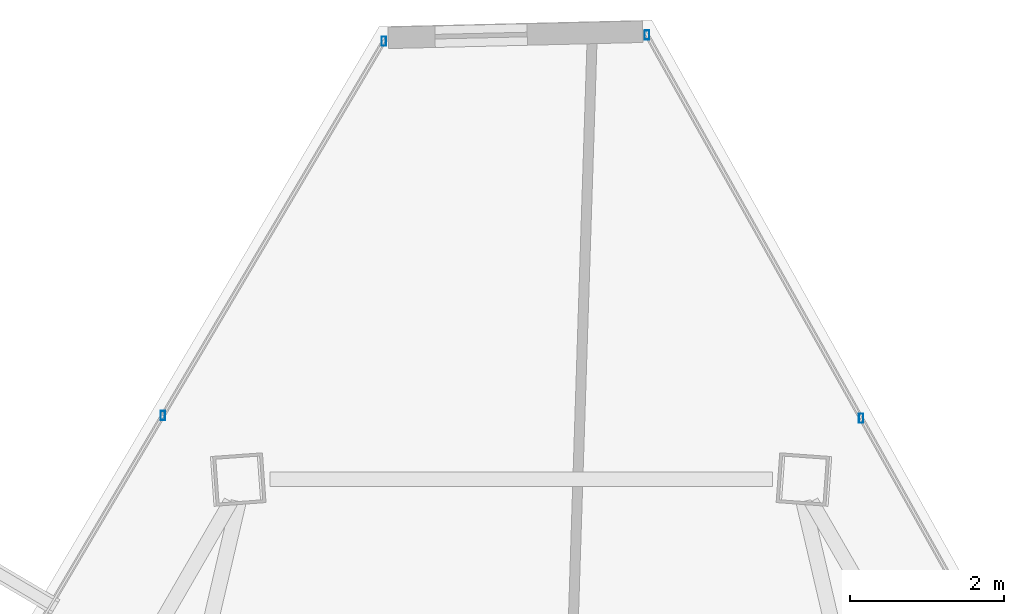
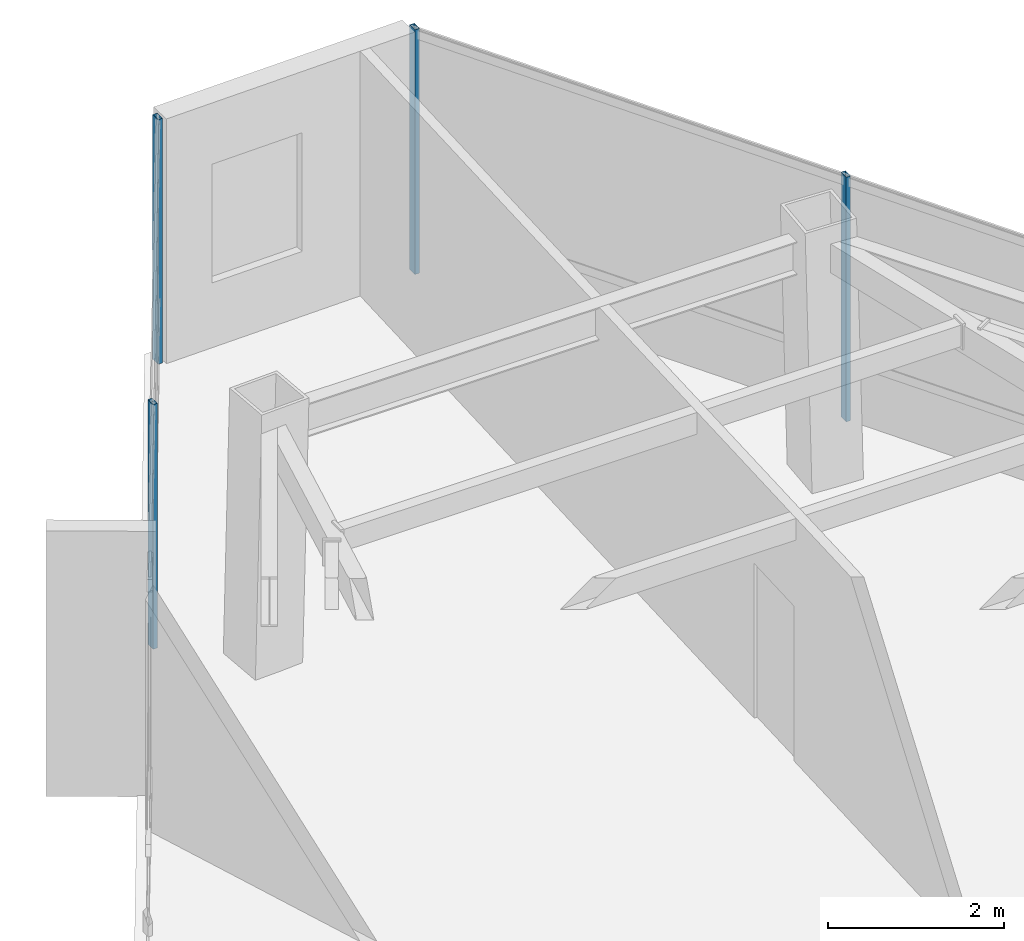
# One storey, part 33 of 45: 4 members, 2 elements without a shape of their own.
"""IFC4 building model written with IfcOpenShell, lengths in metres."""

import ifcopenshell
import ifcopenshell.guid

model = None  # the IFC model being written
_history = None  # IfcOwnerHistory: only IFC2X3 demands one
_inside = {}  # id of a spatial element -> (the spatial element, [elements in it])
_under = {}  # id of a project, library or spatial element -> (it, [spatial elements below it])
_declared = {}  # id of a project -> (the project, [libraries it declares])
_typed = {}  # id of a type object -> (the type object, [elements of that type])
_made_of = {}  # id of a material, layer set ... -> (it, [elements and type objects made of it])


def new_model(schema):
    """Start an empty IFC model of exactly this schema.

    Asked for "IFC4X3", IfcOpenShell would pick the latest addendum, in which some entities
    have other attributes; the version numbers below select the first issue.
    IFC2X3 requires an IfcOwnerHistory on every rooted entity: one is made here for all.
    """
    global model, _history
    if schema == "IFC4X3":
        model = ifcopenshell.file(schema_version=(4, 3, 0, 0))
    else:
        model = ifcopenshell.file(schema=schema)
    _inside.clear()
    _under.clear()
    _declared.clear()
    _typed.clear()
    _made_of.clear()
    _history = None
    if model.schema == "IFC2X3":
        org = make("IfcOrganization", Name="unknown")
        user = make(
            "IfcPersonAndOrganization",
            ThePerson=make("IfcPerson", FamilyName="unknown"),
            TheOrganization=org,
        )
        app = make(
            "IfcApplication",
            ApplicationDeveloper=org,
            Version="unknown",
            ApplicationFullName="unknown",
            ApplicationIdentifier="unknown",
        )
        _history = make(
            "IfcOwnerHistory",
            OwningUser=user,
            OwningApplication=app,
            ChangeAction="ADDED",
            CreationDate=0,
        )
    return model


def make(cls, **values):
    """One entity of the class cls with the attributes given. An attribute that is None is left unset."""
    return model.create_entity(
        cls, **{name: value for name, value in values.items() if value is not None}
    )


def rooted(cls, **values):
    """An entity with a GlobalId (a new one), such as an element, a storey or a relation."""
    return make(cls, GlobalId=ifcopenshell.guid.new(), OwnerHistory=_history, **values)


def si_unit(unit_type, name, prefix=None):
    """IfcSIUnit, for example si_unit("LENGTHUNIT", "METRE", prefix="MILLI")."""
    return make("IfcSIUnit", UnitType=unit_type, Prefix=prefix, Name=name)


def assignment(units):
    """IfcUnitAssignment: the units of a project."""
    return None if units is None else make("IfcUnitAssignment", Units=units)


def point(xyz):
    """IfcCartesianPoint."""
    return None if xyz is None else make("IfcCartesianPoint", Coordinates=xyz)


def direction(xyz):
    """IfcDirection."""
    return None if xyz is None else make("IfcDirection", DirectionRatios=xyz)


def frame(location, z_axis=None, x_axis=None):
    """IfcAxis2Placement3D, a coordinate frame: its origin and axes. An axis left out is left unset."""
    return make(
        "IfcAxis2Placement3D",
        Location=point(location),
        Axis=direction(z_axis),
        RefDirection=direction(x_axis),
    )


def frame_2d(location, x_axis=None):
    """IfcAxis2Placement2D, a coordinate frame in the plane: its origin and x axis."""
    return make(
        "IfcAxis2Placement2D", Location=point(location), RefDirection=direction(x_axis)
    )


def origin():
    """The frame at (0, 0, 0) with its axes left unset."""
    return frame((0.0, 0.0, 0.0))


def origin_2d():
    """The frame at (0, 0) in the plane with its x axis left unset."""
    return frame_2d((0.0, 0.0))


def place(relative_to, where):
    """IfcLocalPlacement: puts the frame where relative to a parent placement (None: the world)."""
    return make(
        "IfcLocalPlacement", PlacementRelTo=relative_to, RelativePlacement=where
    )


def context(
    kind, dimensions, precision=None, world=None, true_north=None, identifier=None
):
    """IfcGeometricRepresentationContext, for example the 3D "Model" context."""
    return make(
        "IfcGeometricRepresentationContext",
        ContextIdentifier=identifier,
        ContextType=kind,
        CoordinateSpaceDimension=dimensions,
        Precision=precision,
        WorldCoordinateSystem=world,
        TrueNorth=true_north,
    )


def subcontext(parent, identifier, kind, view, scale=None):
    """IfcGeometricRepresentationSubContext, for example "Body" below "Model"."""
    return make(
        "IfcGeometricRepresentationSubContext",
        ContextIdentifier=identifier,
        ContextType=kind,
        ParentContext=parent,
        TargetScale=scale,
        TargetView=view,
    )


def project(units=None, contexts=None):
    """IfcProject with its units and contexts."""
    return rooted(
        "IfcProject",
        Name="project",
        RepresentationContexts=contexts,
        UnitsInContext=assignment(units),
    )


def spatial(cls, under=None, at=None, **own):
    """A site, building, storey or space (cls), placed at a placement, below another one or the project."""
    s = rooted(cls, ObjectPlacement=at, **own)
    if under is not None:
        _under.setdefault(under.id(), (under, []))[1].append(s)
    return s


def profile(cls, at=None, kind="AREA", **sizes):
    """A parametric profile (cls). Its sizes go by their IFC names, for example OverallWidth=200.0."""
    return make(cls, ProfileType=kind, Position=at, **sizes)


def hollow_rectangle(**sizes):
    """IfcRectangleHollowProfileDef."""
    return profile("IfcRectangleHollowProfileDef", **sizes)


def extrude(swept, where, along, depth):
    """IfcExtrudedAreaSolid: the profile swept, set in the frame where, extruded along a direction by depth."""
    return make(
        "IfcExtrudedAreaSolid",
        SweptArea=swept,
        Position=where,
        ExtrudedDirection=direction(along),
        Depth=depth,
    )


def shape(context_of_items, identifier, shape_type, items):
    """IfcShapeRepresentation: the items that make up one representation, for example the "Body"."""
    return make(
        "IfcShapeRepresentation",
        ContextOfItems=context_of_items,
        RepresentationIdentifier=identifier,
        RepresentationType=shape_type,
        Items=items,
    )


def source(mapping_origin, context_of_items, identifier, shape_type, items):
    """IfcRepresentationMap: a shape defined once, which mapped items show again and again."""
    return make(
        "IfcRepresentationMap",
        MappingOrigin=mapping_origin,
        MappedRepresentation=shape(context_of_items, identifier, shape_type, items),
    )


def transform(
    local_origin,
    x_axis=None,
    y_axis=None,
    z_axis=None,
    scale=None,
    scale2=None,
    scale3=None,
    uniform=True,
):
    """IfcCartesianTransformationOperator3D, or its non-uniform kind. x_axis, y_axis, z_axis: its Axis1, 2, 3."""
    if uniform:
        return make(
            "IfcCartesianTransformationOperator3D",
            Axis1=direction(x_axis),
            Axis2=direction(y_axis),
            LocalOrigin=point(local_origin),
            Scale=scale,
            Axis3=direction(z_axis),
        )
    return make(
        "IfcCartesianTransformationOperator3DnonUniform",
        Axis1=direction(x_axis),
        Axis2=direction(y_axis),
        LocalOrigin=point(local_origin),
        Scale=scale,
        Axis3=direction(z_axis),
        Scale2=scale2,
        Scale3=scale3,
    )


def mapped(mapping_source, mapping_target):
    """IfcMappedItem: shows the shape of a source again, moved by a transform."""
    return make(
        "IfcMappedItem", MappingSource=mapping_source, MappingTarget=mapping_target
    )


def material(Name=None, Category=None):
    """IfcMaterial."""
    return make("IfcMaterial", Name=Name, Category=Category)


def material_profile(
    of_material, cross_section, Name=None, Category=None, Priority=None
):
    """IfcMaterialProfile: a cross section and its material."""
    return make(
        "IfcMaterialProfile",
        Name=Name,
        Material=of_material,
        Profile=cross_section,
        Priority=Priority,
        Category=Category,
    )


def profile_set(profiles, Name=None, composite=None):
    """IfcMaterialProfileSet."""
    return make(
        "IfcMaterialProfileSet",
        Name=Name,
        MaterialProfiles=profiles,
        CompositeProfile=composite,
    )


def made_of(thing, what):
    """Note that an element or type object is made of a material, layer set ...; save() writes the relation."""
    if what is not None:
        _made_of.setdefault(what.id(), (what, []))[1].append(thing)
    return thing


def type_object(cls, material=None, **own):
    """A type object (cls), such as IfcWallType, which elements share."""
    return made_of(rooted(cls, **own), material)


def type_shapes(of_type, sources):
    """Give a type object the sources (RepresentationMaps) that its elements show as mapped items."""
    of_type.RepresentationMaps = sources


def element(
    cls,
    number,
    at=None,
    inside=None,
    cuts=None,
    type_object=None,
    material=None,
    context=None,
    identifier="Body",
    shape_type=None,
    held_by="IfcProductDefinitionShape",
    body=None,
    shapes=None,
    **own,
):
    """One element of the class cls, such as IfcWall. Its Tag is "e" and its number.

    at: its placement. inside: the storey or other place that contains it. cuts: it is an
    opening in that element (IfcRelVoidsElement). A single representation is given by context,
    identifier, shape_type and body (its items); several are given by shapes. held_by: the class
    of the entity that holds the representations. save() writes the other relations.
    """
    e = rooted(cls, Tag="e%d" % number, ObjectPlacement=at, **own)
    if body is not None:
        shapes = [shape(context, identifier, shape_type, body)]
    if shapes is not None:
        e.Representation = make(held_by, Representations=shapes)
    if inside is not None:
        _inside.setdefault(inside.id(), (inside, []))[1].append(e)
    if cuts is not None:
        rooted(
            "IfcRelVoidsElement", RelatingBuildingElement=cuts, RelatedOpeningElement=e
        )
    if type_object is not None:
        _typed.setdefault(type_object.id(), (type_object, []))[1].append(e)
    return made_of(e, material)


def aggregate(whole, parts):
    """IfcRelAggregates: a whole, such as a stair, and the parts it consists of."""
    return rooted("IfcRelAggregates", RelatingObject=whole, RelatedObjects=parts)


def save(model, path):
    """Write the relations noted so far, then the file.

    IfcRelAggregates (storeys below a building ...), IfcRelContainedInSpatialStructure (elements
    in a storey), IfcRelDefinesByType, IfcRelAssociatesMaterial and IfcRelDeclares: one each for
    every whole, place, type object, material and project.
    """
    for whole, parts in _under.values():
        aggregate(whole, parts)
    for where, things in _inside.values():
        rooted(
            "IfcRelContainedInSpatialStructure",
            RelatedElements=things,
            RelatingStructure=where,
        )
    for kind, things in _typed.values():
        rooted("IfcRelDefinesByType", RelatedObjects=things, RelatingType=kind)
    for what, things in _made_of.values():
        rooted("IfcRelAssociatesMaterial", RelatedObjects=things, RelatingMaterial=what)
    for by, libraries in _declared.values():
        rooted("IfcRelDeclares", RelatingContext=by, RelatedDefinitions=libraries)
    model.write(path)


model = new_model("IFC4")

# Units and contexts
model_context = context("Model", 3, precision=1e-05, world=origin(), true_north=direction((0.0, 1.0)))
body_context = subcontext(model_context, "Body", "Model", "MODEL_VIEW")
ifc_project = project(units=[si_unit("LENGTHUNIT", "METRE"), si_unit("AREAUNIT", "SQUARE_METRE"), si_unit("VOLUMEUNIT", "CUBIC_METRE"), si_unit("PLANEANGLEUNIT", "RADIAN"), si_unit("MASSUNIT", "GRAM", prefix="KILO")], contexts=[model_context])

# Site, building, storey
site_placement = place(None, origin())
site = spatial("IfcSite", under=ifc_project, at=site_placement, CompositionType="ELEMENT")
building_placement = place(site_placement, origin())
building = spatial("IfcBuilding", under=site, at=building_placement, Name="Caelisora Broadcast Tower", CompositionType="ELEMENT")
storey_placement = place(building_placement, frame((0.0, 0.0, 262.699951171875)))
storey = spatial("IfcBuildingStorey", under=building, at=storey_placement, Name="L69", CompositionType="ELEMENT", Elevation=262.699951171875)

# Curtain wall, members
ifc_material_1 = material(Name="Unitised Aluminium and Low-E Glass Curtain Wall", Category="glass")
curtain_wall_type = type_object("IfcCurtainWallType", Name="CW-Z5", PredefinedType="NOTDEFINED", material=ifc_material_1)
curtain_wall_1_placement = place(storey_placement, origin())
curtain_wall_1 = element("IfcCurtainWall", 1, at=curtain_wall_1_placement, inside=storey, type_object=curtain_wall_type, Name="L69 curtain wall CW-Z5", PredefinedType="NOTDEFINED")
ifc_material_2 = material(Name="Aluminium 6063-T6 Anodised Terracotta Bronze", Category="aluminium")
ifc_material_profile = material_profile(ifc_material_2, hollow_rectangle(XDim=0.06005859375, YDim=0.1201171875, WallThickness=0.0029296875, at=origin_2d()), Name="Aluminium 6063-T6 Anodised Terracotta Bronze")
ifc_profile_set = profile_set([ifc_material_profile], Name="Aluminium 6063-T6 Anodised Terracotta Bronze")
member_type = type_object("IfcMemberType", Name="CWM-04", PredefinedType="MULLION", material=ifc_profile_set)
shared_shape = source(origin(), body_context, "Body", "SweptSolid", [
    extrude(hollow_rectangle(XDim=0.06005859375, YDim=0.1201171875, WallThickness=0.0029296875, at=origin_2d()), origin(), (0.0, 0.0, 1.0), 3.400146484375),
])
type_shapes(member_type, [shared_shape])
member_1_placement = place(storey_placement, frame((39.638427734375, 52.472412109375, 0.0), z_axis=(0.0, 0.0, 1.0), x_axis=(1.0, 0.0, 0.0)))
member_1 = element("IfcMember", 2, at=member_1_placement, type_object=member_type, Name="L69-CW-B01 mullion #0", PredefinedType="MULLION", context=body_context, shape_type="MappedRepresentation", body=[
    mapped(shared_shape, transform((0.0, 0.0, 0.0), scale=1.0)),
])
member_2_placement = place(storey_placement, frame((42.425537109375, 47.485107421875, 0.0), z_axis=(0.0, 0.0, 1.0), x_axis=(1.0, 0.0, 0.0)))
member_2 = element("IfcMember", 3, at=member_2_placement, type_object=member_type, Name="L69-CW-B01 mullion #1", PredefinedType="MULLION", context=body_context, shape_type="MappedRepresentation", body=[
    mapped(shared_shape, transform((0.0, 0.0, 0.0), scale=1.0)),
])
aggregate(curtain_wall_1, [member_1, member_2])

curtain_wall_2_placement = place(storey_placement, origin())
curtain_wall_2 = element("IfcCurtainWall", 4, at=curtain_wall_2_placement, inside=storey, type_object=curtain_wall_type, Name="L69 curtain wall CW-Z5", PredefinedType="NOTDEFINED")
member_3_placement = place(storey_placement, frame((33.338134765625, 47.521240234375, 0.0), z_axis=(0.0, 0.0, 1.0), x_axis=(1.0, 0.0, 0.0)))
member_3 = element("IfcMember", 5, at=member_3_placement, type_object=member_type, Name="L69-CW-B11 mullion #2", PredefinedType="MULLION", context=body_context, shape_type="MappedRepresentation", body=[
    mapped(shared_shape, transform((0.0, 0.0, 0.0), scale=1.0)),
])
member_4_placement = place(storey_placement, frame((36.214599609375, 52.391845703125, 0.0), z_axis=(0.0, 0.0, 1.0), x_axis=(1.0, 0.0, 0.0)))
member_4 = element("IfcMember", 6, at=member_4_placement, type_object=member_type, Name="L69-CW-B11 mullion #3", PredefinedType="MULLION", context=body_context, shape_type="MappedRepresentation", body=[
    mapped(shared_shape, transform((0.0, 0.0, 0.0), scale=1.0)),
])
aggregate(curtain_wall_2, [member_3, member_4])

save(model, "model.ifc")
